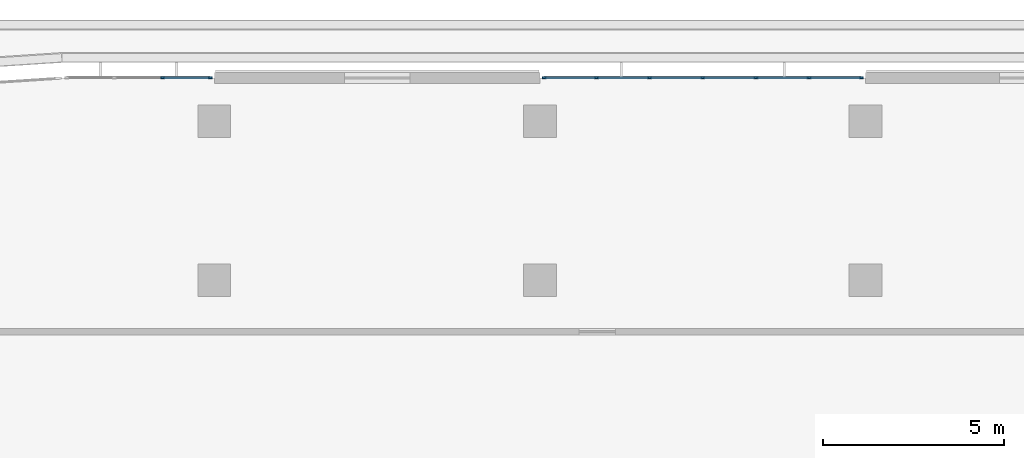
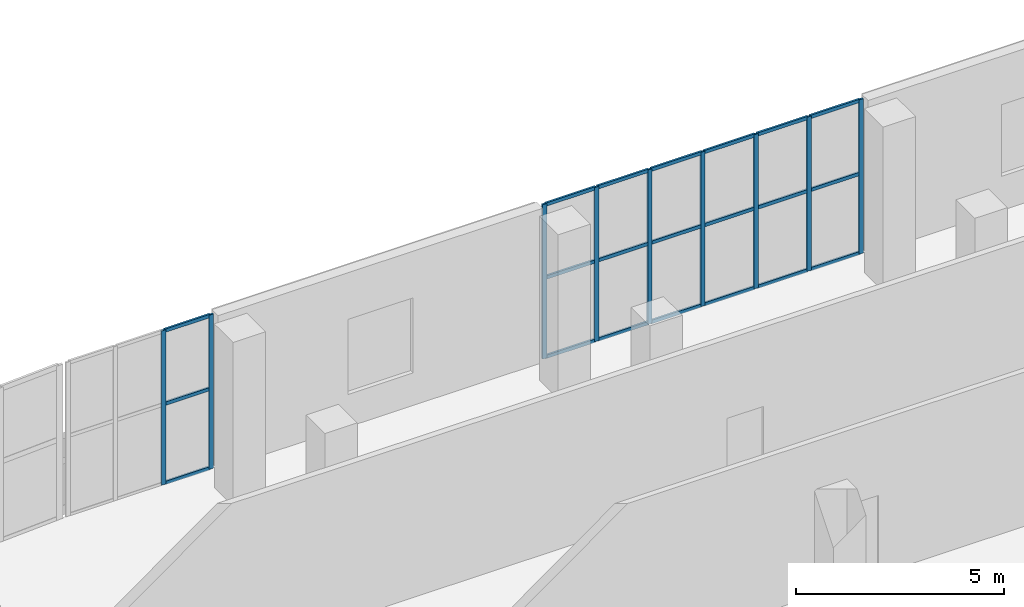
# One storey, part 33 of 96: 30 members, 2 elements without a shape of their own.
"""IFC4 building model written with IfcOpenShell, lengths in metres."""

from ifc_helpers import new_model, si_unit, direction, frame, origin, origin_2d, place, context, subcontext, project, spatial, rectangle, extrude, material, layer, layer_set, material_profile, profile_set, type_object, element, aggregate, save


model = new_model("IFC4")

# Units and contexts
model_context = context("Model", 3, precision=1e-05, world=origin(), true_north=direction((0.0, 1.0)))
body_context = subcontext(model_context, "Body", "Model", "MODEL_VIEW")
ifc_project = project(units=[si_unit("LENGTHUNIT", "METRE"), si_unit("AREAUNIT", "SQUARE_METRE"), si_unit("VOLUMEUNIT", "CUBIC_METRE"), si_unit("PLANEANGLEUNIT", "RADIAN"), si_unit("MASSUNIT", "GRAM", prefix="KILO")], contexts=[model_context])

# Site, building, storey
site_placement = place(None, origin())
site = spatial("IfcSite", under=ifc_project, at=site_placement, CompositionType="ELEMENT")
building_placement = place(site_placement, origin())
building = spatial("IfcBuilding", under=site, at=building_placement, Name="Cendralis Terraced Arcade", CompositionType="ELEMENT")
storey_placement = place(building_placement, frame((0.0, 0.0, 10.199951171875)))
storey = spatial("IfcBuildingStorey", under=building, at=storey_placement, Name="L02", CompositionType="ELEMENT", Elevation=10.199951171875)

# Curtain wall, members
ifc_material = material(Name="Anodised aluminium EN AW-6063 T6", Category="aluminium")
ifc_layer = layer(ifc_material, 0.1201171875, Name="CW-STORE-B")
ifc_layer_set = layer_set([ifc_layer], Name="Anodised aluminium EN AW-6063 T6")
curtain_wall_type = type_object("IfcCurtainWallType", Name="CW-STORE-B", PredefinedType="USERDEFINED", material=ifc_layer_set)
curtain_wall_1_placement = place(storey_placement, origin())
curtain_wall_1 = element("IfcCurtainWall", 1, at=curtain_wall_1_placement, inside=storey, type_object=curtain_wall_type, Name="Exterior Storefront Glazing CW-L02-0152", ObjectType="STOREFRONT GLAZING", PredefinedType="USERDEFINED")
ifc_material_profile_1 = material_profile(ifc_material, rectangle(XDim=0.054931640625, YDim=0.1201171875, at=origin_2d()), Name="ALU-MUL-55x120")
ifc_profile_set_1 = profile_set([ifc_material_profile_1], Name="Anodised aluminium EN AW-6063 T6")
member_type_1 = type_object("IfcMemberType", Name="CW-STORE-B-MUL", PredefinedType="MULLION", material=ifc_profile_set_1)
member_1_placement = place(storey_placement, frame((65.77001953125, 112.800048828125, 0.0), z_axis=(0.0, 0.0, 1.0), x_axis=(0.0, 1.0, 0.0)))
member_1 = element("IfcMember", 2, at=member_1_placement, type_object=member_type_1, Name="CW-S2 mullion 3", PredefinedType="MULLION", context=body_context, shape_type="SweptSolid", body=[
    extrude(rectangle(XDim=0.054931640625, YDim=0.1201171875, at=origin_2d()), origin(), (0.0, 0.0, 1.0), 4.51513671875),
])
member_2_placement = place(storey_placement, frame((67.08251953125, 112.800048828125, 0.0), z_axis=(0.0, 0.0, 1.0), x_axis=(0.0, 1.0, 0.0)))
member_2 = element("IfcMember", 3, at=member_2_placement, type_object=member_type_1, Name="CW-S2 mullion 4", PredefinedType="MULLION", context=body_context, shape_type="SweptSolid", body=[
    extrude(rectangle(XDim=0.054931640625, YDim=0.1201171875, at=origin_2d()), origin(), (0.0, 0.0, 1.0), 4.51513671875),
])

curtain_wall_2_placement = place(storey_placement, origin())
curtain_wall_2 = element("IfcCurtainWall", 4, at=curtain_wall_2_placement, inside=storey, type_object=curtain_wall_type, Name="Exterior Storefront Glazing CW-L02-0153", ObjectType="STOREFRONT GLAZING", PredefinedType="USERDEFINED")
member_3_placement = place(storey_placement, frame((76.3173828125, 112.800048828125, 0.0), z_axis=(0.0, 0.0, 1.0), x_axis=(0.0, 1.0, 0.0)))
member_3 = element("IfcMember", 5, at=member_3_placement, type_object=member_type_1, Name="CW-S2 mullion 1", PredefinedType="MULLION", context=body_context, shape_type="SweptSolid", body=[
    extrude(rectangle(XDim=0.054931640625, YDim=0.1201171875, at=origin_2d()), origin(), (0.0, 0.0, 1.0), 4.51513671875),
])
member_4_placement = place(storey_placement, frame((77.760009765625, 112.800048828125, 0.0), z_axis=(0.0, 0.0, 1.0), x_axis=(0.0, 1.0, 0.0)))
member_4 = element("IfcMember", 6, at=member_4_placement, type_object=member_type_1, Name="CW-S2 mullion 2", PredefinedType="MULLION", context=body_context, shape_type="SweptSolid", body=[
    extrude(rectangle(XDim=0.054931640625, YDim=0.1201171875, at=origin_2d()), origin(), (0.0, 0.0, 1.0), 4.51513671875),
])
member_5_placement = place(storey_placement, frame((79.22998046875, 112.800048828125, 0.0), z_axis=(0.0, 0.0, 1.0), x_axis=(0.0, 1.0, 0.0)))
member_5 = element("IfcMember", 7, at=member_5_placement, type_object=member_type_1, Name="CW-S2 mullion 3", PredefinedType="MULLION", context=body_context, shape_type="SweptSolid", body=[
    extrude(rectangle(XDim=0.054931640625, YDim=0.1201171875, at=origin_2d()), origin(), (0.0, 0.0, 1.0), 4.51513671875),
])
member_6_placement = place(storey_placement, frame((80.699951171875, 112.800048828125, 0.0), z_axis=(0.0, 0.0, 1.0), x_axis=(0.0, 1.0, 0.0)))
member_6 = element("IfcMember", 8, at=member_6_placement, type_object=member_type_1, Name="CW-S2 mullion 4", PredefinedType="MULLION", context=body_context, shape_type="SweptSolid", body=[
    extrude(rectangle(XDim=0.054931640625, YDim=0.1201171875, at=origin_2d()), origin(), (0.0, 0.0, 1.0), 4.51513671875),
])
member_7_placement = place(storey_placement, frame((82.169921875, 112.800048828125, 0.0), z_axis=(0.0, 0.0, 1.0), x_axis=(0.0, 1.0, 0.0)))
member_7 = element("IfcMember", 9, at=member_7_placement, type_object=member_type_1, Name="CW-S2 mullion 5", PredefinedType="MULLION", context=body_context, shape_type="SweptSolid", body=[
    extrude(rectangle(XDim=0.054931640625, YDim=0.1201171875, at=origin_2d()), origin(), (0.0, 0.0, 1.0), 4.51513671875),
])
member_8_placement = place(storey_placement, frame((83.639892578125, 112.800048828125, 0.0), z_axis=(0.0, 0.0, 1.0), x_axis=(0.0, 1.0, 0.0)))
member_8 = element("IfcMember", 10, at=member_8_placement, type_object=member_type_1, Name="CW-S2 mullion 6", PredefinedType="MULLION", context=body_context, shape_type="SweptSolid", body=[
    extrude(rectangle(XDim=0.054931640625, YDim=0.1201171875, at=origin_2d()), origin(), (0.0, 0.0, 1.0), 4.51513671875),
])
member_9_placement = place(storey_placement, frame((85.08251953125, 112.800048828125, 0.0), z_axis=(0.0, 0.0, 1.0), x_axis=(0.0, 1.0, 0.0)))
member_9 = element("IfcMember", 11, at=member_9_placement, type_object=member_type_1, Name="CW-S2 mullion 7", PredefinedType="MULLION", context=body_context, shape_type="SweptSolid", body=[
    extrude(rectangle(XDim=0.054931640625, YDim=0.1201171875, at=origin_2d()), origin(), (0.0, 0.0, 1.0), 4.51513671875),
])

# Member
ifc_material_profile_2 = material_profile(ifc_material, rectangle(XDim=0.054931640625, YDim=0.10009765625, at=origin_2d()), Name="ALU-TRN-55x100")
ifc_profile_set_2 = profile_set([ifc_material_profile_2], Name="Anodised aluminium EN AW-6063 T6")
member_type_2 = type_object("IfcMemberType", Name="CW-STORE-B-TRN", PredefinedType="USERDEFINED", material=ifc_profile_set_2)
member_10_placement = place(storey_placement, frame((65.797607421875, 112.800048828125, 0.027587890625), z_axis=(1.0, 0.0, 0.0), x_axis=(0.0, 1.0, 0.0)))
member_10 = element("IfcMember", 12, at=member_10_placement, type_object=member_type_2, Name="CW-S2 transom 3.1", ObjectType="TRANSOM", PredefinedType="USERDEFINED", context=body_context, shape_type="SweptSolid", body=[
    extrude(rectangle(XDim=0.054931640625, YDim=0.10009765625, at=origin_2d()), origin(), (0.0, 0.0, 1.0), 1.25732421875),
])

member_11_placement = place(storey_placement, frame((65.797607421875, 112.800048828125, 2.347900390625), z_axis=(1.0, 0.0, 0.0), x_axis=(0.0, 1.0, 0.0)))
member_11 = element("IfcMember", 13, at=member_11_placement, type_object=member_type_2, Name="CW-S2 transom 3.2", ObjectType="TRANSOM", PredefinedType="USERDEFINED", context=body_context, shape_type="SweptSolid", body=[
    extrude(rectangle(XDim=0.054931640625, YDim=0.10009765625, at=origin_2d()), origin(), (0.0, 0.0, 1.0), 1.25732421875),
])

member_12_placement = place(storey_placement, frame((65.797607421875, 112.800048828125, 4.487548828125), z_axis=(1.0, 0.0, 0.0), x_axis=(0.0, 1.0, 0.0)))
member_12 = element("IfcMember", 14, at=member_12_placement, type_object=member_type_2, Name="CW-S2 transom 3.3", ObjectType="TRANSOM", PredefinedType="USERDEFINED", context=body_context, shape_type="SweptSolid", body=[
    extrude(rectangle(XDim=0.054931640625, YDim=0.10009765625, at=origin_2d()), origin(), (0.0, 0.0, 1.0), 1.25732421875),
])

aggregate(curtain_wall_1, [member_1, member_2, member_10, member_11, member_12])

member_13_placement = place(storey_placement, frame((76.344970703125, 112.800048828125, 0.027587890625), z_axis=(1.0, 0.0, 0.0), x_axis=(0.0, 1.0, 0.0)))
member_13 = element("IfcMember", 15, at=member_13_placement, type_object=member_type_2, Name="CW-S2 transom 1.1", ObjectType="TRANSOM", PredefinedType="USERDEFINED", context=body_context, shape_type="SweptSolid", body=[
    extrude(rectangle(XDim=0.054931640625, YDim=0.10009765625, at=origin_2d()), origin(), (0.0, 0.0, 1.0), 1.387451171875),
])

member_14_placement = place(storey_placement, frame((76.344970703125, 112.800048828125, 2.347900390625), z_axis=(1.0, 0.0, 0.0), x_axis=(0.0, 1.0, 0.0)))
member_14 = element("IfcMember", 16, at=member_14_placement, type_object=member_type_2, Name="CW-S2 transom 1.2", ObjectType="TRANSOM", PredefinedType="USERDEFINED", context=body_context, shape_type="SweptSolid", body=[
    extrude(rectangle(XDim=0.054931640625, YDim=0.10009765625, at=origin_2d()), origin(), (0.0, 0.0, 1.0), 1.387451171875),
])

member_15_placement = place(storey_placement, frame((76.344970703125, 112.800048828125, 4.487548828125), z_axis=(1.0, 0.0, 0.0), x_axis=(0.0, 1.0, 0.0)))
member_15 = element("IfcMember", 17, at=member_15_placement, type_object=member_type_2, Name="CW-S2 transom 1.3", ObjectType="TRANSOM", PredefinedType="USERDEFINED", context=body_context, shape_type="SweptSolid", body=[
    extrude(rectangle(XDim=0.054931640625, YDim=0.10009765625, at=origin_2d()), origin(), (0.0, 0.0, 1.0), 1.387451171875),
])

member_16_placement = place(storey_placement, frame((77.78759765625, 112.800048828125, 0.027587890625), z_axis=(1.0, 0.0, 0.0), x_axis=(0.0, 1.0, 0.0)))
member_16 = element("IfcMember", 18, at=member_16_placement, type_object=member_type_2, Name="CW-S2 transom 2.1", ObjectType="TRANSOM", PredefinedType="USERDEFINED", context=body_context, shape_type="SweptSolid", body=[
    extrude(rectangle(XDim=0.054931640625, YDim=0.10009765625, at=origin_2d()), origin(), (0.0, 0.0, 1.0), 1.414794921875),
])

member_17_placement = place(storey_placement, frame((77.78759765625, 112.800048828125, 2.347900390625), z_axis=(1.0, 0.0, 0.0), x_axis=(0.0, 1.0, 0.0)))
member_17 = element("IfcMember", 19, at=member_17_placement, type_object=member_type_2, Name="CW-S2 transom 2.2", ObjectType="TRANSOM", PredefinedType="USERDEFINED", context=body_context, shape_type="SweptSolid", body=[
    extrude(rectangle(XDim=0.054931640625, YDim=0.10009765625, at=origin_2d()), origin(), (0.0, 0.0, 1.0), 1.414794921875),
])

member_18_placement = place(storey_placement, frame((77.78759765625, 112.800048828125, 4.487548828125), z_axis=(1.0, 0.0, 0.0), x_axis=(0.0, 1.0, 0.0)))
member_18 = element("IfcMember", 20, at=member_18_placement, type_object=member_type_2, Name="CW-S2 transom 2.3", ObjectType="TRANSOM", PredefinedType="USERDEFINED", context=body_context, shape_type="SweptSolid", body=[
    extrude(rectangle(XDim=0.054931640625, YDim=0.10009765625, at=origin_2d()), origin(), (0.0, 0.0, 1.0), 1.414794921875),
])

member_19_placement = place(storey_placement, frame((79.257568359375, 112.800048828125, 0.027587890625), z_axis=(1.0, 0.0, 0.0), x_axis=(0.0, 1.0, 0.0)))
member_19 = element("IfcMember", 21, at=member_19_placement, type_object=member_type_2, Name="CW-S2 transom 3.1", ObjectType="TRANSOM", PredefinedType="USERDEFINED", context=body_context, shape_type="SweptSolid", body=[
    extrude(rectangle(XDim=0.054931640625, YDim=0.10009765625, at=origin_2d()), origin(), (0.0, 0.0, 1.0), 1.4150390625),
])

member_20_placement = place(storey_placement, frame((79.257568359375, 112.800048828125, 2.347900390625), z_axis=(1.0, 0.0, 0.0), x_axis=(0.0, 1.0, 0.0)))
member_20 = element("IfcMember", 22, at=member_20_placement, type_object=member_type_2, Name="CW-S2 transom 3.2", ObjectType="TRANSOM", PredefinedType="USERDEFINED", context=body_context, shape_type="SweptSolid", body=[
    extrude(rectangle(XDim=0.054931640625, YDim=0.10009765625, at=origin_2d()), origin(), (0.0, 0.0, 1.0), 1.4150390625),
])

member_21_placement = place(storey_placement, frame((79.257568359375, 112.800048828125, 4.487548828125), z_axis=(1.0, 0.0, 0.0), x_axis=(0.0, 1.0, 0.0)))
member_21 = element("IfcMember", 23, at=member_21_placement, type_object=member_type_2, Name="CW-S2 transom 3.3", ObjectType="TRANSOM", PredefinedType="USERDEFINED", context=body_context, shape_type="SweptSolid", body=[
    extrude(rectangle(XDim=0.054931640625, YDim=0.10009765625, at=origin_2d()), origin(), (0.0, 0.0, 1.0), 1.4150390625),
])

member_22_placement = place(storey_placement, frame((80.7275390625, 112.800048828125, 0.027587890625), z_axis=(1.0, 0.0, 0.0), x_axis=(0.0, 1.0, 0.0)))
member_22 = element("IfcMember", 24, at=member_22_placement, type_object=member_type_2, Name="CW-S2 transom 4.1", ObjectType="TRANSOM", PredefinedType="USERDEFINED", context=body_context, shape_type="SweptSolid", body=[
    extrude(rectangle(XDim=0.054931640625, YDim=0.10009765625, at=origin_2d()), origin(), (0.0, 0.0, 1.0), 1.4150390625),
])

member_23_placement = place(storey_placement, frame((80.7275390625, 112.800048828125, 2.347900390625), z_axis=(1.0, 0.0, 0.0), x_axis=(0.0, 1.0, 0.0)))
member_23 = element("IfcMember", 25, at=member_23_placement, type_object=member_type_2, Name="CW-S2 transom 4.2", ObjectType="TRANSOM", PredefinedType="USERDEFINED", context=body_context, shape_type="SweptSolid", body=[
    extrude(rectangle(XDim=0.054931640625, YDim=0.10009765625, at=origin_2d()), origin(), (0.0, 0.0, 1.0), 1.4150390625),
])

member_24_placement = place(storey_placement, frame((80.7275390625, 112.800048828125, 4.487548828125), z_axis=(1.0, 0.0, 0.0), x_axis=(0.0, 1.0, 0.0)))
member_24 = element("IfcMember", 26, at=member_24_placement, type_object=member_type_2, Name="CW-S2 transom 4.3", ObjectType="TRANSOM", PredefinedType="USERDEFINED", context=body_context, shape_type="SweptSolid", body=[
    extrude(rectangle(XDim=0.054931640625, YDim=0.10009765625, at=origin_2d()), origin(), (0.0, 0.0, 1.0), 1.4150390625),
])

member_25_placement = place(storey_placement, frame((82.197509765625, 112.800048828125, 0.027587890625), z_axis=(1.0, 0.0, 0.0), x_axis=(0.0, 1.0, 0.0)))
member_25 = element("IfcMember", 27, at=member_25_placement, type_object=member_type_2, Name="CW-S2 transom 5.1", ObjectType="TRANSOM", PredefinedType="USERDEFINED", context=body_context, shape_type="SweptSolid", body=[
    extrude(rectangle(XDim=0.054931640625, YDim=0.10009765625, at=origin_2d()), origin(), (0.0, 0.0, 1.0), 1.4150390625),
])

member_26_placement = place(storey_placement, frame((82.197509765625, 112.800048828125, 2.347900390625), z_axis=(1.0, 0.0, 0.0), x_axis=(0.0, 1.0, 0.0)))
member_26 = element("IfcMember", 28, at=member_26_placement, type_object=member_type_2, Name="CW-S2 transom 5.2", ObjectType="TRANSOM", PredefinedType="USERDEFINED", context=body_context, shape_type="SweptSolid", body=[
    extrude(rectangle(XDim=0.054931640625, YDim=0.10009765625, at=origin_2d()), origin(), (0.0, 0.0, 1.0), 1.4150390625),
])

member_27_placement = place(storey_placement, frame((82.197509765625, 112.800048828125, 4.487548828125), z_axis=(1.0, 0.0, 0.0), x_axis=(0.0, 1.0, 0.0)))
member_27 = element("IfcMember", 29, at=member_27_placement, type_object=member_type_2, Name="CW-S2 transom 5.3", ObjectType="TRANSOM", PredefinedType="USERDEFINED", context=body_context, shape_type="SweptSolid", body=[
    extrude(rectangle(XDim=0.054931640625, YDim=0.10009765625, at=origin_2d()), origin(), (0.0, 0.0, 1.0), 1.4150390625),
])

member_28_placement = place(storey_placement, frame((83.66748046875, 112.800048828125, 0.027587890625), z_axis=(1.0, 0.0, 0.0), x_axis=(0.0, 1.0, 0.0)))
member_28 = element("IfcMember", 30, at=member_28_placement, type_object=member_type_2, Name="CW-S2 transom 6.1", ObjectType="TRANSOM", PredefinedType="USERDEFINED", context=body_context, shape_type="SweptSolid", body=[
    extrude(rectangle(XDim=0.054931640625, YDim=0.10009765625, at=origin_2d()), origin(), (0.0, 0.0, 1.0), 1.387451171875),
])

member_29_placement = place(storey_placement, frame((83.66748046875, 112.800048828125, 2.347900390625), z_axis=(1.0, 0.0, 0.0), x_axis=(0.0, 1.0, 0.0)))
member_29 = element("IfcMember", 31, at=member_29_placement, type_object=member_type_2, Name="CW-S2 transom 6.2", ObjectType="TRANSOM", PredefinedType="USERDEFINED", context=body_context, shape_type="SweptSolid", body=[
    extrude(rectangle(XDim=0.054931640625, YDim=0.10009765625, at=origin_2d()), origin(), (0.0, 0.0, 1.0), 1.387451171875),
])

member_30_placement = place(storey_placement, frame((83.66748046875, 112.800048828125, 4.487548828125), z_axis=(1.0, 0.0, 0.0), x_axis=(0.0, 1.0, 0.0)))
member_30 = element("IfcMember", 32, at=member_30_placement, type_object=member_type_2, Name="CW-S2 transom 6.3", ObjectType="TRANSOM", PredefinedType="USERDEFINED", context=body_context, shape_type="SweptSolid", body=[
    extrude(rectangle(XDim=0.054931640625, YDim=0.10009765625, at=origin_2d()), origin(), (0.0, 0.0, 1.0), 1.387451171875),
])

aggregate(curtain_wall_2, [member_3, member_4, member_5, member_6, member_7, member_8, member_9, member_13, member_14, member_15, member_16, member_17, member_18, member_19, member_20, member_21, member_22, member_23, member_24, member_25, member_26, member_27, member_28, member_29, member_30])

save(model, "model.ifc")
